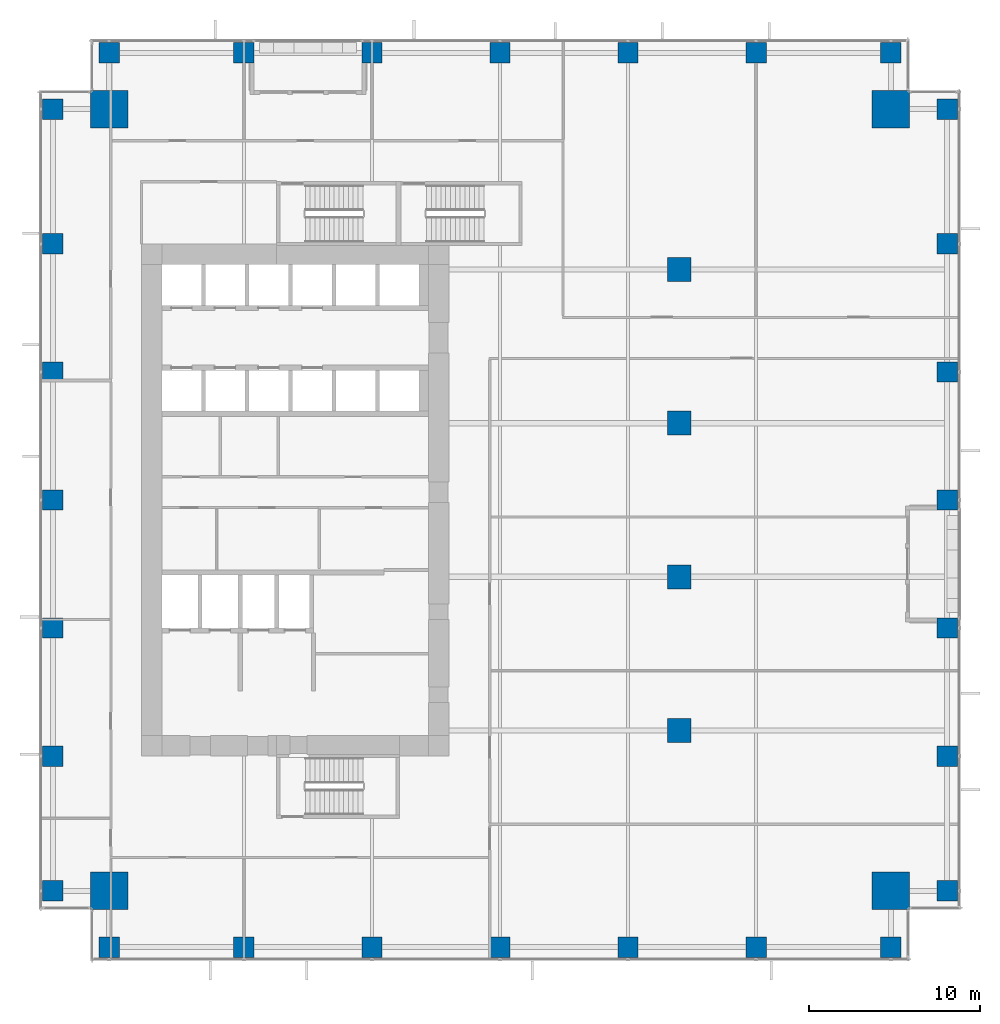
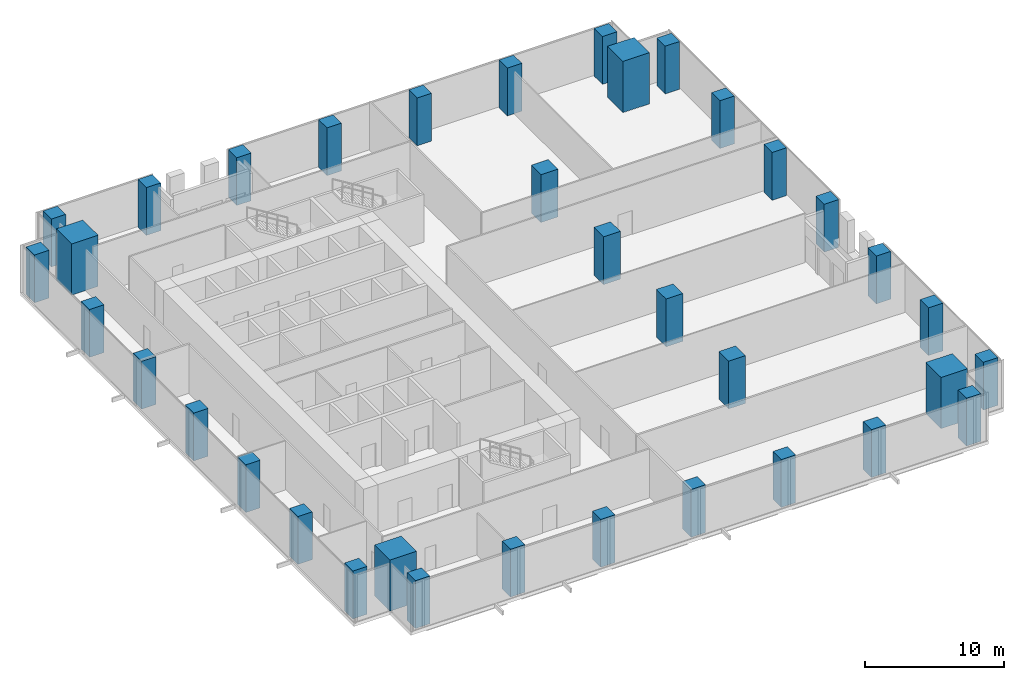
# One storey, part 1 of 32: 36 columns.
"""IFC4 building model written with IfcOpenShell, lengths in metres."""

from ifc_helpers import new_model, si_unit, direction, frame, origin, origin_2d, place, context, subcontext, project, spatial, rectangle, extrude, source, transform, mapped, material, material_profile, profile_set, type_object, element, save


model = new_model("IFC4")

# Units and contexts
model_context = context("Model", 3, precision=1e-05, world=origin(), true_north=direction((0.0, 1.0)))
body_context = subcontext(model_context, "Body", "Model", "MODEL_VIEW")
ifc_project = project(units=[si_unit("LENGTHUNIT", "METRE"), si_unit("AREAUNIT", "SQUARE_METRE"), si_unit("VOLUMEUNIT", "CUBIC_METRE"), si_unit("PLANEANGLEUNIT", "RADIAN"), si_unit("MASSUNIT", "GRAM", prefix="KILO")], contexts=[model_context])

# Site, building, storey
site_placement = place(None, origin())
site = spatial("IfcSite", under=ifc_project, at=site_placement, CompositionType="ELEMENT")
building_placement = place(site_placement, origin())
building = spatial("IfcBuilding", under=site, at=building_placement, Name="Khomas Fold Tower", CompositionType="ELEMENT")
storey_placement = place(building_placement, frame((0.0, 0.0, 37.5)))
storey = spatial("IfcBuildingStorey", under=building, at=storey_placement, Name="L07", CompositionType="ELEMENT", Elevation=37.5)

# Columns
ifc_material_1 = material(Name="Concrete C70/85", Category="concrete")
ifc_material_profile_1 = material_profile(ifc_material_1, rectangle(XDim=2.199951171875, YDim=2.199951171875, at=origin_2d()), Name="RC 2200x2200")
ifc_profile_set_1 = profile_set([ifc_material_profile_1], Name="Concrete C70/85")
column_type_1 = type_object("IfcColumnType", Name="RC 2200x2200 column", PredefinedType="COLUMN", material=ifc_profile_set_1)
shared_shape_1 = source(origin(), body_context, "Body", "SweptSolid", [
    extrude(rectangle(XDim=2.199951171875, YDim=2.199951171875, at=origin_2d()), origin(), (0.0, 0.0, 1.0), 4.5),
])
for number, where, z_axis, x_axis, name in (
    (1, (49.89990234375, 49.89990234375, 0.0), (0.0, 0.0, 1.0), (1.0, 0.0, 0.0), "CM-NE"),
    (2, (4.10009765625, 49.89990234375, 0.0), (0.0, 0.0, 1.0), (1.0, 0.0, 0.0), "CM-NW"),
    (3, (49.89990234375, 4.10009765625, 0.0), (0.0, 0.0, 1.0), (1.0, 0.0, 0.0), "CM-SE"),
    (4, (4.10009765625, 4.10009765625, 0.0), (0.0, 0.0, 1.0), (1.0, 0.0, 0.0), "CM-SW"),
):
    element("IfcColumn", number, at=place(storey_placement, frame(where, z_axis=z_axis, x_axis=x_axis)), inside=storey, type_object=column_type_1, Name=name, PredefinedType="COLUMN", context=body_context, shape_type="MappedRepresentation", body=[
        mapped(shared_shape_1, transform((0.0, 0.0, 0.0))),
    ])
ifc_material_2 = material(Name="Concrete C60/75", Category="concrete")
ifc_material_profile_2 = material_profile(ifc_material_2, rectangle(XDim=1.199951171875, YDim=1.199951171875, at=origin_2d()), Name="RC 1200x1200")
ifc_profile_set_2 = profile_set([ifc_material_profile_2], Name="Concrete C60/75")
column_type_2 = type_object("IfcColumnType", Name="RC 1200x1200 column", PredefinedType="COLUMN", material=ifc_profile_set_2)
shared_shape_2 = source(origin(), body_context, "Body", "SweptSolid", [
    extrude(rectangle(XDim=1.199951171875, YDim=1.199951171875, at=origin_2d()), origin(), (0.0, 0.0, 1.0), 4.199951171875),
])
for number, where, z_axis, x_axis, name in (
    (5, (4.10009765625, 0.800048828125, 0.0), (0.0, 0.0, 1.0), (1.0, 0.0, 0.0), "C-2-SF1"),
    (6, (12.0, 0.800048828125, 0.0), (0.0, 0.0, 1.0), (1.0, 0.0, 0.0), "C-6-SF1"),
    (7, (19.5, 0.800048828125, 0.0), (0.0, 0.0, 1.0), (1.0, 0.0, 0.0), "C-8-SF1"),
    (8, (27.0, 0.800048828125, 0.0), (0.0, 0.0, 1.0), (1.0, 0.0, 0.0), "C-9-SF1"),
    (9, (34.5, 0.800048828125, 0.0), (0.0, 0.0, 1.0), (1.0, 0.0, 0.0), "C-10-SF1"),
    (10, (42.0, 0.800048828125, 0.0), (0.0, 0.0, 1.0), (1.0, 0.0, 0.0), "C-13-SF1"),
    (11, (49.89990234375, 0.800048828125, 0.0), (0.0, 0.0, 1.0), (1.0, 0.0, 0.0), "C-17-SF1"),
    (12, (53.199951171875, 4.10009765625, 0.0), (0.0, 0.0, 1.0), (1.0, 0.0, 0.0), "C-E1-A"),
    (13, (53.199951171875, 12.0, 0.0), (0.0, 0.0, 1.0), (1.0, 0.0, 0.0), "C-E1-F"),
    (14, (53.199951171875, 19.5, 0.0), (0.0, 0.0, 1.0), (1.0, 0.0, 0.0), "C-E1-J"),
    (15, (53.199951171875, 27.0, 0.0), (0.0, 0.0, 1.0), (1.0, 0.0, 0.0), "C-E1-L"),
    (16, (53.199951171875, 34.5, 0.0), (0.0, 0.0, 1.0), (1.0, 0.0, 0.0), "C-E1-N"),
    (17, (53.199951171875, 42.0, 0.0), (0.0, 0.0, 1.0), (1.0, 0.0, 0.0), "C-E1-R"),
    (18, (53.199951171875, 49.89990234375, 0.0), (0.0, 0.0, 1.0), (1.0, 0.0, 0.0), "C-E1-W"),
    (19, (4.10009765625, 53.199951171875, 0.0), (0.0, 0.0, 1.0), (1.0, 0.0, 0.0), "C-2-NF1"),
    (20, (12.0, 53.199951171875, 0.0), (0.0, 0.0, 1.0), (1.0, 0.0, 0.0), "C-6-NF1"),
    (21, (19.5, 53.199951171875, 0.0), (0.0, 0.0, 1.0), (1.0, 0.0, 0.0), "C-8-NF1"),
    (22, (27.0, 53.199951171875, 0.0), (0.0, 0.0, 1.0), (1.0, 0.0, 0.0), "C-9-NF1"),
    (23, (34.5, 53.199951171875, 0.0), (0.0, 0.0, 1.0), (1.0, 0.0, 0.0), "C-10-NF1"),
    (24, (42.0, 53.199951171875, 0.0), (0.0, 0.0, 1.0), (1.0, 0.0, 0.0), "C-13-NF1"),
    (25, (49.89990234375, 53.199951171875, 0.0), (0.0, 0.0, 1.0), (1.0, 0.0, 0.0), "C-17-NF1"),
    (26, (0.800048828125, 4.10009765625, 0.0), (0.0, 0.0, 1.0), (1.0, 0.0, 0.0), "C-W1-A"),
    (27, (0.800048828125, 12.0, 0.0), (0.0, 0.0, 1.0), (1.0, 0.0, 0.0), "C-W1-F"),
    (28, (0.800048828125, 19.5, 0.0), (0.0, 0.0, 1.0), (1.0, 0.0, 0.0), "C-W1-J"),
    (29, (0.800048828125, 27.0, 0.0), (0.0, 0.0, 1.0), (1.0, 0.0, 0.0), "C-W1-L"),
    (30, (0.800048828125, 34.5, 0.0), (0.0, 0.0, 1.0), (1.0, 0.0, 0.0), "C-W1-N"),
    (31, (0.800048828125, 42.0, 0.0), (0.0, 0.0, 1.0), (1.0, 0.0, 0.0), "C-W1-R"),
    (32, (0.800048828125, 49.89990234375, 0.0), (0.0, 0.0, 1.0), (1.0, 0.0, 0.0), "C-W1-W"),
):
    element("IfcColumn", number, at=place(storey_placement, frame(where, z_axis=z_axis, x_axis=x_axis)), inside=storey, type_object=column_type_2, Name=name, PredefinedType="COLUMN", context=body_context, shape_type="MappedRepresentation", body=[
        mapped(shared_shape_2, transform((0.0, 0.0, 0.0))),
    ])
ifc_material_3 = material(Name="Concrete C60/75", Category="concrete")
ifc_material_profile_3 = material_profile(ifc_material_3, rectangle(XDim=1.39990234375, YDim=1.39990234375, at=origin_2d()), Name="RC 1400x1400")
ifc_profile_set_3 = profile_set([ifc_material_profile_3], Name="Concrete C60/75")
column_type_3 = type_object("IfcColumnType", Name="RC 1400x1400 column", PredefinedType="COLUMN", material=ifc_profile_set_3)
shared_shape_3 = source(origin(), body_context, "Body", "SweptSolid", [
    extrude(rectangle(XDim=1.39990234375, YDim=1.39990234375, at=origin_2d()), origin(), (0.0, 0.0, 1.0), 4.199951171875),
])
for number, where, z_axis, x_axis, name in (
    (33, (37.5, 13.5, 0.0), (0.0, 0.0, 1.0), (1.0, 0.0, 0.0), "C-11-H"),
    (34, (37.5, 22.5, 0.0), (0.0, 0.0, 1.0), (1.0, 0.0, 0.0), "C-11-K"),
    (35, (37.5, 31.5, 0.0), (0.0, 0.0, 1.0), (1.0, 0.0, 0.0), "C-11-M"),
    (36, (37.5, 40.5, 0.0), (0.0, 0.0, 1.0), (1.0, 0.0, 0.0), "C-11-P"),
):
    element("IfcColumn", number, at=place(storey_placement, frame(where, z_axis=z_axis, x_axis=x_axis)), inside=storey, type_object=column_type_3, Name=name, PredefinedType="COLUMN", context=body_context, shape_type="MappedRepresentation", body=[
        mapped(shared_shape_3, transform((0.0, 0.0, 0.0))),
    ])

save(model, "model.ifc")
